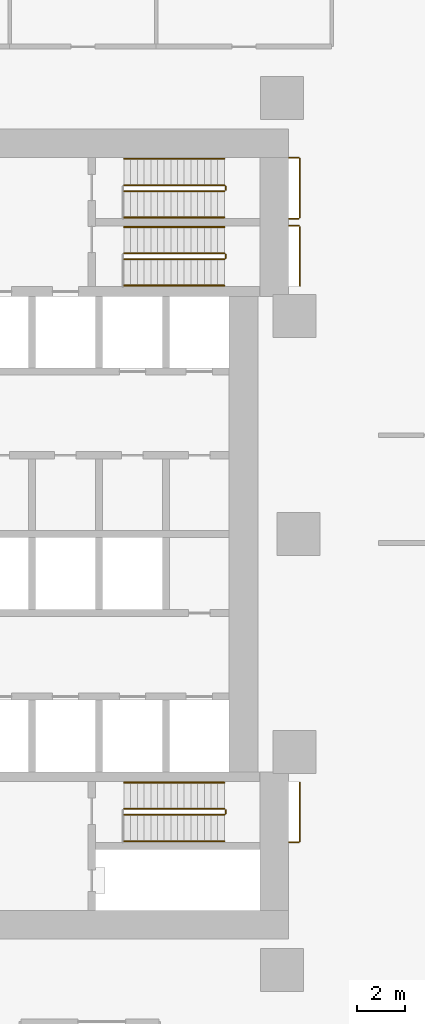
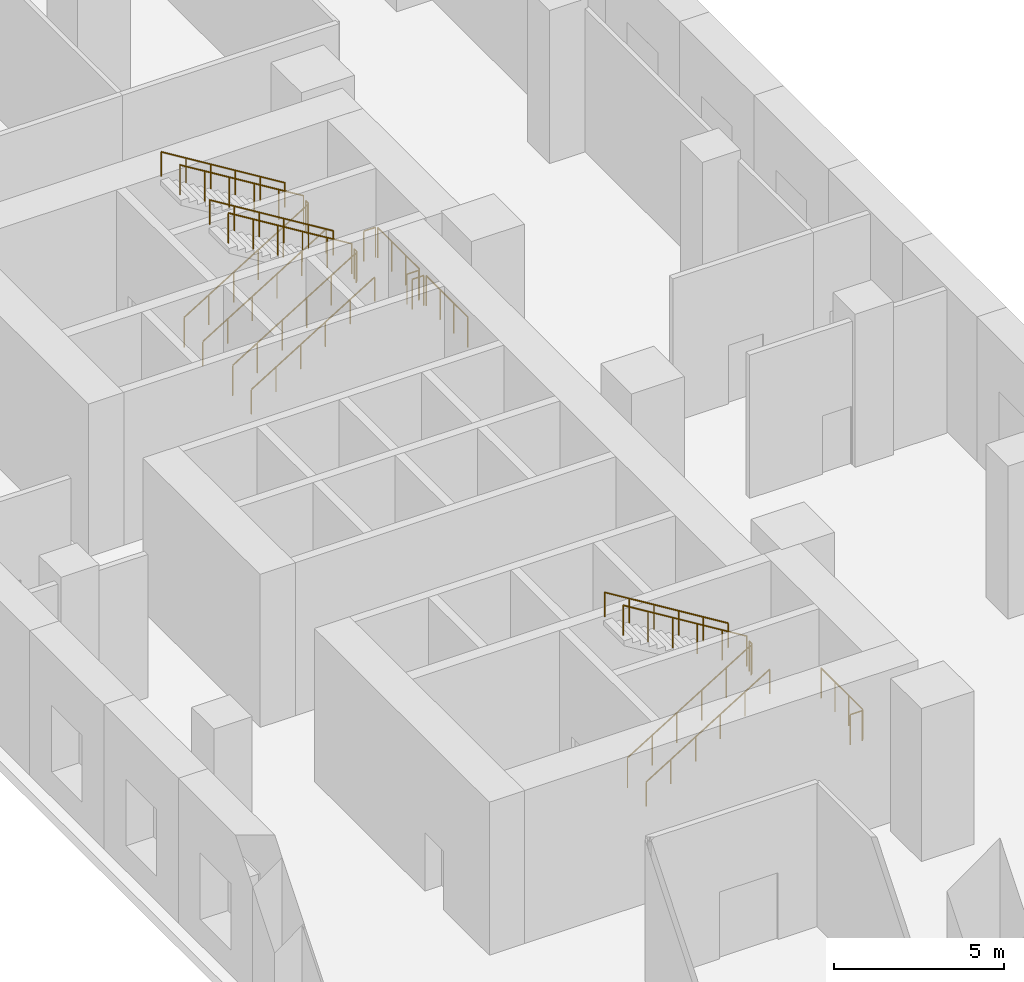
# One storey, part 11 of 12: 22 railings.
"""IFC4 building model written with IfcOpenShell, lengths in metres."""

from ifc_helpers import new_model, si_unit, direction, frame, origin, origin_2d, place, context, subcontext, project, spatial, circle, extrude, material, type_object, element, save


model = new_model("IFC4")

# Units and contexts
model_context = context("Model", 3, precision=1e-05, world=origin(), true_north=direction((0.0, 1.0)))
body_context = subcontext(model_context, "Body", "Model", "MODEL_VIEW")
ifc_project = project(units=[si_unit("LENGTHUNIT", "METRE"), si_unit("AREAUNIT", "SQUARE_METRE"), si_unit("VOLUMEUNIT", "CUBIC_METRE"), si_unit("PLANEANGLEUNIT", "RADIAN"), si_unit("MASSUNIT", "GRAM", prefix="KILO")], contexts=[model_context])

# Site, building, storey
site_placement = place(None, origin())
site = spatial("IfcSite", under=ifc_project, at=site_placement, CompositionType="ELEMENT")
building_placement = place(site_placement, origin())
building = spatial("IfcBuilding", under=site, at=building_placement, Name="Ostrand Prow Hotel Tower", CompositionType="ELEMENT")
storey_placement = place(building_placement, frame((0.0, 0.0, 8.0)))
storey = spatial("IfcBuildingStorey", under=building, at=storey_placement, Name="L01", CompositionType="ELEMENT", Elevation=8.0)

# Railings
ifc_material_1 = material(Name="Painted steel", Category="steel")
railing_type_1 = type_object("IfcRailingType", Name="Stair guard 1100", PredefinedType="GUARDRAIL", material=ifc_material_1)
railing_1_placement = place(storey_placement, frame((57.199951171875, 11.5, 0.171875)))
element("IfcRailing", 1, at=railing_1_placement, inside=storey, type_object=railing_type_1, Name="L01 ST1B stair guard 1", PredefinedType="GUARDRAIL", context=body_context, shape_type="SweptSolid", body=[
    extrude(circle(Radius=0.02392578125, at=origin_2d()), frame((0.0, 0.0, 1.076171875), z_axis=(0.852242915053, 0.0, 0.523146264196), x_axis=(0.0, 1.0, 0.0)), (0.0, 0.0, 1.0), 4.92822265625),
    extrude(circle(Radius=0.02099609375, at=origin_2d()), origin(), (0.0, 0.0, 1.0), 1.052001953125),
    extrude(circle(Radius=0.02099609375, at=origin_2d()), frame((0.840087890625, 0.0, 0.515625)), (0.0, 0.0, 1.0), 1.052001953125),
    extrude(circle(Radius=0.02099609375, at=origin_2d()), frame((1.679931640625, 0.0, 1.03125)), (0.0, 0.0, 1.0), 1.052001953125),
    extrude(circle(Radius=0.02099609375, at=origin_2d()), frame((2.52001953125, 0.0, 1.546875)), (0.0, 0.0, 1.0), 1.052001953125),
    extrude(circle(Radius=0.02099609375, at=origin_2d()), frame((3.35986328125, 0.0, 2.0625)), (0.0, 0.0, 1.0), 1.052001953125),
    extrude(circle(Radius=0.02099609375, at=origin_2d()), frame((4.199951171875, 0.0, 2.578125)), (0.0, 0.0, 1.0), 1.052001953125),
])
railing_2_placement = place(storey_placement, frame((61.449951171875, 11.550048828125, 2.75)))
element("IfcRailing", 2, at=railing_2_placement, inside=storey, type_object=railing_type_1, Name="L01 ST1B stair guard 2", PredefinedType="GUARDRAIL", context=body_context, shape_type="SweptSolid", body=[
    extrude(circle(Radius=0.02392578125, at=origin_2d()), frame((0.0, 0.0, 1.076171875), z_axis=(0.0, 1.0, 0.0), x_axis=(-1.0, 0.0, 0.0)), (0.0, 0.0, 1.0), 0.14990234375),
    extrude(circle(Radius=0.02099609375, at=origin_2d()), origin(), (0.0, 0.0, 1.0), 1.052001953125),
    extrude(circle(Radius=0.02099609375, at=origin_2d()), frame((0.0, 0.14990234375, 0.0)), (0.0, 0.0, 1.0), 1.052001953125),
])
railing_3_placement = place(storey_placement, frame((61.39990234375, 11.75, 2.921875)))
element("IfcRailing", 3, at=railing_3_placement, inside=storey, type_object=railing_type_1, Name="L01 ST1B stair guard 3", PredefinedType="GUARDRAIL", context=body_context, shape_type="SweptSolid", body=[
    extrude(circle(Radius=0.02392578125, at=origin_2d()), frame((0.0, 0.0, 1.076171875), z_axis=(-0.852242915053, 0.0, 0.523146264196), x_axis=(0.0, -1.0, 0.0)), (0.0, 0.0, 1.0), 4.92822265625),
    extrude(circle(Radius=0.02099609375, at=origin_2d()), origin(), (0.0, 0.0, 1.0), 1.052001953125),
    extrude(circle(Radius=0.02099609375, at=origin_2d()), frame((-0.840087890625, 0.0, 0.515625)), (0.0, 0.0, 1.0), 1.052001953125),
    extrude(circle(Radius=0.02099609375, at=origin_2d()), frame((-1.679931640625, 0.0, 1.03125)), (0.0, 0.0, 1.0), 1.052001953125),
    extrude(circle(Radius=0.02099609375, at=origin_2d()), frame((-2.52001953125, 0.0, 1.546875)), (0.0, 0.0, 1.0), 1.052001953125),
    extrude(circle(Radius=0.02099609375, at=origin_2d()), frame((-3.35986328125, 0.0, 2.0625)), (0.0, 0.0, 1.0), 1.052001953125),
    extrude(circle(Radius=0.02099609375, at=origin_2d()), frame((-4.199951171875, 0.0, 2.578125)), (0.0, 0.0, 1.0), 1.052001953125),
])
railing_4_placement = place(storey_placement, frame((57.199951171875, 14.35009765625, 0.171875)))
element("IfcRailing", 4, at=railing_4_placement, inside=storey, type_object=railing_type_1, Name="L01 ST3B stair guard 1", PredefinedType="GUARDRAIL", context=body_context, shape_type="SweptSolid", body=[
    extrude(circle(Radius=0.02392578125, at=origin_2d()), frame((0.0, 0.0, 1.076171875), z_axis=(0.852242915053, 0.0, 0.523146264196), x_axis=(0.0, 1.0, 0.0)), (0.0, 0.0, 1.0), 4.92822265625),
    extrude(circle(Radius=0.02099609375, at=origin_2d()), origin(), (0.0, 0.0, 1.0), 1.052001953125),
    extrude(circle(Radius=0.02099609375, at=origin_2d()), frame((0.840087890625, 0.0, 0.515625)), (0.0, 0.0, 1.0), 1.052001953125),
    extrude(circle(Radius=0.02099609375, at=origin_2d()), frame((1.679931640625, 0.0, 1.03125)), (0.0, 0.0, 1.0), 1.052001953125),
    extrude(circle(Radius=0.02099609375, at=origin_2d()), frame((2.52001953125, 0.0, 1.546875)), (0.0, 0.0, 1.0), 1.052001953125),
    extrude(circle(Radius=0.02099609375, at=origin_2d()), frame((3.35986328125, 0.0, 2.0625)), (0.0, 0.0, 1.0), 1.052001953125),
    extrude(circle(Radius=0.02099609375, at=origin_2d()), frame((4.199951171875, 0.0, 2.578125)), (0.0, 0.0, 1.0), 1.052001953125),
])
railing_5_placement = place(storey_placement, frame((61.449951171875, 14.39990234375, 2.75)))
element("IfcRailing", 5, at=railing_5_placement, inside=storey, type_object=railing_type_1, Name="L01 ST3B stair guard 2", PredefinedType="GUARDRAIL", context=body_context, shape_type="SweptSolid", body=[
    extrude(circle(Radius=0.02392578125, at=origin_2d()), frame((0.0, 0.0, 1.076171875), z_axis=(0.0, 1.0, 0.0), x_axis=(-1.0, 0.0, 0.0)), (0.0, 0.0, 1.0), 0.150146484375),
    extrude(circle(Radius=0.02099609375, at=origin_2d()), origin(), (0.0, 0.0, 1.0), 1.052001953125),
    extrude(circle(Radius=0.02099609375, at=origin_2d()), frame((0.0, 0.150146484375, 0.0)), (0.0, 0.0, 1.0), 1.052001953125),
])
railing_6_placement = place(storey_placement, frame((61.39990234375, 14.60009765625, 2.921875)))
element("IfcRailing", 6, at=railing_6_placement, inside=storey, type_object=railing_type_1, Name="L01 ST3B stair guard 3", PredefinedType="GUARDRAIL", context=body_context, shape_type="SweptSolid", body=[
    extrude(circle(Radius=0.02392578125, at=origin_2d()), frame((0.0, 0.0, 1.076171875), z_axis=(-0.852242915053, 0.0, 0.523146264196), x_axis=(0.0, -1.0, 0.0)), (0.0, 0.0, 1.0), 4.92822265625),
    extrude(circle(Radius=0.02099609375, at=origin_2d()), origin(), (0.0, 0.0, 1.0), 1.052001953125),
    extrude(circle(Radius=0.02099609375, at=origin_2d()), frame((-0.840087890625, 0.0, 0.515625)), (0.0, 0.0, 1.0), 1.052001953125),
    extrude(circle(Radius=0.02099609375, at=origin_2d()), frame((-1.679931640625, 0.0, 1.03125)), (0.0, 0.0, 1.0), 1.052001953125),
    extrude(circle(Radius=0.02099609375, at=origin_2d()), frame((-2.52001953125, 0.0, 1.546875)), (0.0, 0.0, 1.0), 1.052001953125),
    extrude(circle(Radius=0.02099609375, at=origin_2d()), frame((-3.35986328125, 0.0, 2.0625)), (0.0, 0.0, 1.0), 1.052001953125),
    extrude(circle(Radius=0.02099609375, at=origin_2d()), frame((-4.199951171875, 0.0, 2.578125)), (0.0, 0.0, 1.0), 1.052001953125),
])
railing_7_placement = place(storey_placement, frame((57.199951171875, -11.75, 0.171875)))
element("IfcRailing", 7, at=railing_7_placement, inside=storey, type_object=railing_type_1, Name="L01 ST2B stair guard 1", PredefinedType="GUARDRAIL", context=body_context, shape_type="SweptSolid", body=[
    extrude(circle(Radius=0.02392578125, at=origin_2d()), frame((0.0, 0.0, 1.076171875), z_axis=(0.852242915053, 0.0, 0.523146264196), x_axis=(0.0, 1.0, 0.0)), (0.0, 0.0, 1.0), 4.92822265625),
    extrude(circle(Radius=0.02099609375, at=origin_2d()), origin(), (0.0, 0.0, 1.0), 1.052001953125),
    extrude(circle(Radius=0.02099609375, at=origin_2d()), frame((0.840087890625, 0.0, 0.515625)), (0.0, 0.0, 1.0), 1.052001953125),
    extrude(circle(Radius=0.02099609375, at=origin_2d()), frame((1.679931640625, 0.0, 1.03125)), (0.0, 0.0, 1.0), 1.052001953125),
    extrude(circle(Radius=0.02099609375, at=origin_2d()), frame((2.52001953125, 0.0, 1.546875)), (0.0, 0.0, 1.0), 1.052001953125),
    extrude(circle(Radius=0.02099609375, at=origin_2d()), frame((3.35986328125, 0.0, 2.0625)), (0.0, 0.0, 1.0), 1.052001953125),
    extrude(circle(Radius=0.02099609375, at=origin_2d()), frame((4.199951171875, 0.0, 2.578125)), (0.0, 0.0, 1.0), 1.052001953125),
])
railing_8_placement = place(storey_placement, frame((61.449951171875, -11.699951171875, 2.75)))
element("IfcRailing", 8, at=railing_8_placement, inside=storey, type_object=railing_type_1, Name="L01 ST2B stair guard 2", PredefinedType="GUARDRAIL", context=body_context, shape_type="SweptSolid", body=[
    extrude(circle(Radius=0.02392578125, at=origin_2d()), frame((0.0, 0.0, 1.076171875), z_axis=(0.0, 1.0, 0.0), x_axis=(-1.0, 0.0, 0.0)), (0.0, 0.0, 1.0), 0.14990234375),
    extrude(circle(Radius=0.02099609375, at=origin_2d()), origin(), (0.0, 0.0, 1.0), 1.052001953125),
    extrude(circle(Radius=0.02099609375, at=origin_2d()), frame((0.0, 0.14990234375, 0.0)), (0.0, 0.0, 1.0), 1.052001953125),
])
railing_9_placement = place(storey_placement, frame((61.39990234375, -11.5, 2.921875)))
element("IfcRailing", 9, at=railing_9_placement, inside=storey, type_object=railing_type_1, Name="L01 ST2B stair guard 3", PredefinedType="GUARDRAIL", context=body_context, shape_type="SweptSolid", body=[
    extrude(circle(Radius=0.02392578125, at=origin_2d()), frame((0.0, 0.0, 1.076171875), z_axis=(-0.852242915053, 0.0, 0.523146264196), x_axis=(0.0, -1.0, 0.0)), (0.0, 0.0, 1.0), 4.92822265625),
    extrude(circle(Radius=0.02099609375, at=origin_2d()), origin(), (0.0, 0.0, 1.0), 1.052001953125),
    extrude(circle(Radius=0.02099609375, at=origin_2d()), frame((-0.840087890625, 0.0, 0.515625)), (0.0, 0.0, 1.0), 1.052001953125),
    extrude(circle(Radius=0.02099609375, at=origin_2d()), frame((-1.679931640625, 0.0, 1.03125)), (0.0, 0.0, 1.0), 1.052001953125),
    extrude(circle(Radius=0.02099609375, at=origin_2d()), frame((-2.52001953125, 0.0, 1.546875)), (0.0, 0.0, 1.0), 1.052001953125),
    extrude(circle(Radius=0.02099609375, at=origin_2d()), frame((-3.35986328125, 0.0, 2.0625)), (0.0, 0.0, 1.0), 1.052001953125),
    extrude(circle(Radius=0.02099609375, at=origin_2d()), frame((-4.199951171875, 0.0, 2.578125)), (0.0, 0.0, 1.0), 1.052001953125),
])
railing_10_placement = place(storey_placement, frame((64.56005859375, 10.39990234375, 0.0)))
element("IfcRailing", 10, at=railing_10_placement, inside=storey, type_object=railing_type_1, Name="ST1 stair slot guard", PredefinedType="GUARDRAIL", context=body_context, shape_type="SweptSolid", body=[
    extrude(circle(Radius=0.02392578125, at=origin_2d()), frame((0.0, 0.0, 1.076171875), z_axis=(0.0, 1.0, 0.0), x_axis=(-1.0, 0.0, 0.0)), (0.0, 0.0, 1.0), 2.4501953125),
    extrude(circle(Radius=0.02099609375, at=origin_2d()), origin(), (0.0, 0.0, 1.0), 1.052001953125),
    extrude(circle(Radius=0.02099609375, at=origin_2d()), frame((0.0, 0.816650390625, 0.0)), (0.0, 0.0, 1.0), 1.052001953125),
    extrude(circle(Radius=0.02099609375, at=origin_2d()), frame((0.0, 1.633544921875, 0.0)), (0.0, 0.0, 1.0), 1.052001953125),
    extrude(circle(Radius=0.02099609375, at=origin_2d()), frame((0.0, 2.4501953125, 0.0)), (0.0, 0.0, 1.0), 1.052001953125),
])
railing_11_placement = place(storey_placement, frame((64.110107421875, 12.89990234375, 0.0)))
element("IfcRailing", 11, at=railing_11_placement, inside=storey, type_object=railing_type_1, Name="ST1 stair slot guard return", PredefinedType="GUARDRAIL", context=body_context, shape_type="SweptSolid", body=[
    extrude(circle(Radius=0.02392578125, at=origin_2d()), frame((0.0, 0.0, 1.076171875), z_axis=(1.0, 0.0, 0.0), x_axis=(0.0, 1.0, 0.0)), (0.0, 0.0, 1.0), 0.39990234375),
    extrude(circle(Radius=0.02099609375, at=origin_2d()), origin(), (0.0, 0.0, 1.0), 1.052001953125),
    extrude(circle(Radius=0.02099609375, at=origin_2d()), frame((0.39990234375, 0.0, 0.0)), (0.0, 0.0, 1.0), 1.052001953125),
])
railing_12_placement = place(storey_placement, frame((64.56005859375, 13.25, 0.0)))
element("IfcRailing", 12, at=railing_12_placement, inside=storey, type_object=railing_type_1, Name="ST3 stair slot guard", PredefinedType="GUARDRAIL", context=body_context, shape_type="SweptSolid", body=[
    extrude(circle(Radius=0.02392578125, at=origin_2d()), frame((0.0, 0.0, 1.076171875), z_axis=(0.0, 1.0, 0.0), x_axis=(-1.0, 0.0, 0.0)), (0.0, 0.0, 1.0), 2.449951171875),
    extrude(circle(Radius=0.02099609375, at=origin_2d()), origin(), (0.0, 0.0, 1.0), 1.052001953125),
    extrude(circle(Radius=0.02099609375, at=origin_2d()), frame((0.0, 0.816650390625, 0.0)), (0.0, 0.0, 1.0), 1.052001953125),
    extrude(circle(Radius=0.02099609375, at=origin_2d()), frame((0.0, 1.63330078125, 0.0)), (0.0, 0.0, 1.0), 1.052001953125),
    extrude(circle(Radius=0.02099609375, at=origin_2d()), frame((0.0, 2.449951171875, 0.0)), (0.0, 0.0, 1.0), 1.052001953125),
])
for number, where, name in (
    (13, (64.110107421875, 13.199951171875, 0.0), "ST3 stair slot guard return"),
    (14, (64.110107421875, 15.75, 0.0), "ST3 stair slot guard return"),
):
    element("IfcRailing", number, at=place(storey_placement, frame(where)), inside=storey, type_object=railing_type_1, Name=name, PredefinedType="GUARDRAIL", context=body_context, shape_type="SweptSolid", body=[
        extrude(circle(Radius=0.02392578125, at=origin_2d()), frame((0.0, 0.0, 1.076171875), z_axis=(1.0, 0.0, 0.0), x_axis=(0.0, 1.0, 0.0)), (0.0, 0.0, 1.0), 0.39990234375),
        extrude(circle(Radius=0.02099609375, at=origin_2d()), origin(), (0.0, 0.0, 1.0), 1.052001953125),
        extrude(circle(Radius=0.02099609375, at=origin_2d()), frame((0.39990234375, 0.0, 0.0)), (0.0, 0.0, 1.0), 1.052001953125),
    ])
railing_13_placement = place(storey_placement, frame((64.56005859375, -12.85009765625, 0.0)))
element("IfcRailing", 15, at=railing_13_placement, inside=storey, type_object=railing_type_1, Name="ST2 stair slot guard", PredefinedType="GUARDRAIL", context=body_context, shape_type="SweptSolid", body=[
    extrude(circle(Radius=0.02392578125, at=origin_2d()), frame((0.0, 0.0, 1.076171875), z_axis=(0.0, 1.0, 0.0), x_axis=(-1.0, 0.0, 0.0)), (0.0, 0.0, 1.0), 2.4501953125),
    extrude(circle(Radius=0.02099609375, at=origin_2d()), origin(), (0.0, 0.0, 1.0), 1.052001953125),
    extrude(circle(Radius=0.02099609375, at=origin_2d()), frame((0.0, 0.816650390625, 0.0)), (0.0, 0.0, 1.0), 1.052001953125),
    extrude(circle(Radius=0.02099609375, at=origin_2d()), frame((0.0, 1.633544921875, 0.0)), (0.0, 0.0, 1.0), 1.052001953125),
    extrude(circle(Radius=0.02099609375, at=origin_2d()), frame((0.0, 2.4501953125, 0.0)), (0.0, 0.0, 1.0), 1.052001953125),
])
railing_14_placement = place(storey_placement, frame((64.110107421875, -12.89990234375, 0.0)))
element("IfcRailing", 16, at=railing_14_placement, inside=storey, type_object=railing_type_1, Name="ST2 stair slot guard return", PredefinedType="GUARDRAIL", context=body_context, shape_type="SweptSolid", body=[
    extrude(circle(Radius=0.02392578125, at=origin_2d()), frame((0.0, 0.0, 1.076171875), z_axis=(1.0, 0.0, 0.0), x_axis=(0.0, 1.0, 0.0)), (0.0, 0.0, 1.0), 0.39990234375),
    extrude(circle(Radius=0.02099609375, at=origin_2d()), origin(), (0.0, 0.0, 1.0), 1.052001953125),
    extrude(circle(Radius=0.02099609375, at=origin_2d()), frame((0.39990234375, 0.0, 0.0)), (0.0, 0.0, 1.0), 1.052001953125),
])
ifc_material_2 = material(Name="Stainless steel", Category="steel")
railing_type_2 = type_object("IfcRailingType", Name="Stair handrail 900", PredefinedType="HANDRAIL", material=ifc_material_2)
railing_15_placement = place(storey_placement, frame((57.199951171875, 10.39990234375, 0.171875)))
element("IfcRailing", 17, at=railing_15_placement, inside=storey, type_object=railing_type_2, Name="L01 ST1B stair handrail 1", PredefinedType="HANDRAIL", context=body_context, shape_type="SweptSolid", body=[
    extrude(circle(Radius=0.02392578125, at=origin_2d()), frame((0.0, 0.0, 0.8759765625), z_axis=(0.852242915053, 0.0, 0.523146264196), x_axis=(0.0, 1.0, 0.0)), (0.0, 0.0, 1.0), 4.92822265625),
    extrude(circle(Radius=0.02099609375, at=origin_2d()), origin(), (0.0, 0.0, 1.0), 0.851806640625),
    extrude(circle(Radius=0.02099609375, at=origin_2d()), frame((0.840087890625, 0.0, 0.515625)), (0.0, 0.0, 1.0), 0.851806640625),
    extrude(circle(Radius=0.02099609375, at=origin_2d()), frame((1.679931640625, 0.0, 1.03125)), (0.0, 0.0, 1.0), 0.851806640625),
    extrude(circle(Radius=0.02099609375, at=origin_2d()), frame((2.52001953125, 0.0, 1.546875)), (0.0, 0.0, 1.0), 0.851806640625),
    extrude(circle(Radius=0.02099609375, at=origin_2d()), frame((3.35986328125, 0.0, 2.0625)), (0.0, 0.0, 1.0), 0.851806640625),
    extrude(circle(Radius=0.02099609375, at=origin_2d()), frame((4.199951171875, 0.0, 2.578125)), (0.0, 0.0, 1.0), 0.851806640625),
])
railing_16_placement = place(storey_placement, frame((61.39990234375, 12.85009765625, 2.921875)))
element("IfcRailing", 18, at=railing_16_placement, inside=storey, type_object=railing_type_2, Name="L01 ST1B stair handrail 2", PredefinedType="HANDRAIL", context=body_context, shape_type="SweptSolid", body=[
    extrude(circle(Radius=0.02392578125, at=origin_2d()), frame((0.0, 0.0, 0.8759765625), z_axis=(-0.852242915053, 0.0, 0.523146264196), x_axis=(0.0, -1.0, 0.0)), (0.0, 0.0, 1.0), 4.92822265625),
    extrude(circle(Radius=0.02099609375, at=origin_2d()), origin(), (0.0, 0.0, 1.0), 0.851806640625),
    extrude(circle(Radius=0.02099609375, at=origin_2d()), frame((-0.840087890625, 0.0, 0.515625)), (0.0, 0.0, 1.0), 0.851806640625),
    extrude(circle(Radius=0.02099609375, at=origin_2d()), frame((-1.679931640625, 0.0, 1.03125)), (0.0, 0.0, 1.0), 0.851806640625),
    extrude(circle(Radius=0.02099609375, at=origin_2d()), frame((-2.52001953125, 0.0, 1.546875)), (0.0, 0.0, 1.0), 0.851806640625),
    extrude(circle(Radius=0.02099609375, at=origin_2d()), frame((-3.35986328125, 0.0, 2.0625)), (0.0, 0.0, 1.0), 0.851806640625),
    extrude(circle(Radius=0.02099609375, at=origin_2d()), frame((-4.199951171875, 0.0, 2.578125)), (0.0, 0.0, 1.0), 0.851806640625),
])
railing_17_placement = place(storey_placement, frame((57.199951171875, 13.25, 0.171875)))
element("IfcRailing", 19, at=railing_17_placement, inside=storey, type_object=railing_type_2, Name="L01 ST3B stair handrail 1", PredefinedType="HANDRAIL", context=body_context, shape_type="SweptSolid", body=[
    extrude(circle(Radius=0.02392578125, at=origin_2d()), frame((0.0, 0.0, 0.8759765625), z_axis=(0.852242915053, 0.0, 0.523146264196), x_axis=(0.0, 1.0, 0.0)), (0.0, 0.0, 1.0), 4.92822265625),
    extrude(circle(Radius=0.02099609375, at=origin_2d()), origin(), (0.0, 0.0, 1.0), 0.851806640625),
    extrude(circle(Radius=0.02099609375, at=origin_2d()), frame((0.840087890625, 0.0, 0.515625)), (0.0, 0.0, 1.0), 0.851806640625),
    extrude(circle(Radius=0.02099609375, at=origin_2d()), frame((1.679931640625, 0.0, 1.03125)), (0.0, 0.0, 1.0), 0.851806640625),
    extrude(circle(Radius=0.02099609375, at=origin_2d()), frame((2.52001953125, 0.0, 1.546875)), (0.0, 0.0, 1.0), 0.851806640625),
    extrude(circle(Radius=0.02099609375, at=origin_2d()), frame((3.35986328125, 0.0, 2.0625)), (0.0, 0.0, 1.0), 0.851806640625),
    extrude(circle(Radius=0.02099609375, at=origin_2d()), frame((4.199951171875, 0.0, 2.578125)), (0.0, 0.0, 1.0), 0.851806640625),
])
railing_18_placement = place(storey_placement, frame((61.39990234375, 15.699951171875, 2.921875)))
element("IfcRailing", 20, at=railing_18_placement, inside=storey, type_object=railing_type_2, Name="L01 ST3B stair handrail 2", PredefinedType="HANDRAIL", context=body_context, shape_type="SweptSolid", body=[
    extrude(circle(Radius=0.02392578125, at=origin_2d()), frame((0.0, 0.0, 0.8759765625), z_axis=(-0.852242915053, 0.0, 0.523146264196), x_axis=(0.0, -1.0, 0.0)), (0.0, 0.0, 1.0), 4.92822265625),
    extrude(circle(Radius=0.02099609375, at=origin_2d()), origin(), (0.0, 0.0, 1.0), 0.851806640625),
    extrude(circle(Radius=0.02099609375, at=origin_2d()), frame((-0.840087890625, 0.0, 0.515625)), (0.0, 0.0, 1.0), 0.851806640625),
    extrude(circle(Radius=0.02099609375, at=origin_2d()), frame((-1.679931640625, 0.0, 1.03125)), (0.0, 0.0, 1.0), 0.851806640625),
    extrude(circle(Radius=0.02099609375, at=origin_2d()), frame((-2.52001953125, 0.0, 1.546875)), (0.0, 0.0, 1.0), 0.851806640625),
    extrude(circle(Radius=0.02099609375, at=origin_2d()), frame((-3.35986328125, 0.0, 2.0625)), (0.0, 0.0, 1.0), 0.851806640625),
    extrude(circle(Radius=0.02099609375, at=origin_2d()), frame((-4.199951171875, 0.0, 2.578125)), (0.0, 0.0, 1.0), 0.851806640625),
])
railing_19_placement = place(storey_placement, frame((57.199951171875, -12.85009765625, 0.171875)))
element("IfcRailing", 21, at=railing_19_placement, inside=storey, type_object=railing_type_2, Name="L01 ST2B stair handrail 1", PredefinedType="HANDRAIL", context=body_context, shape_type="SweptSolid", body=[
    extrude(circle(Radius=0.02392578125, at=origin_2d()), frame((0.0, 0.0, 0.8759765625), z_axis=(0.852242915053, 0.0, 0.523146264196), x_axis=(0.0, 1.0, 0.0)), (0.0, 0.0, 1.0), 4.92822265625),
    extrude(circle(Radius=0.02099609375, at=origin_2d()), origin(), (0.0, 0.0, 1.0), 0.851806640625),
    extrude(circle(Radius=0.02099609375, at=origin_2d()), frame((0.840087890625, 0.0, 0.515625)), (0.0, 0.0, 1.0), 0.851806640625),
    extrude(circle(Radius=0.02099609375, at=origin_2d()), frame((1.679931640625, 0.0, 1.03125)), (0.0, 0.0, 1.0), 0.851806640625),
    extrude(circle(Radius=0.02099609375, at=origin_2d()), frame((2.52001953125, 0.0, 1.546875)), (0.0, 0.0, 1.0), 0.851806640625),
    extrude(circle(Radius=0.02099609375, at=origin_2d()), frame((3.35986328125, 0.0, 2.0625)), (0.0, 0.0, 1.0), 0.851806640625),
    extrude(circle(Radius=0.02099609375, at=origin_2d()), frame((4.199951171875, 0.0, 2.578125)), (0.0, 0.0, 1.0), 0.851806640625),
])
railing_20_placement = place(storey_placement, frame((61.39990234375, -10.39990234375, 2.921875)))
element("IfcRailing", 22, at=railing_20_placement, inside=storey, type_object=railing_type_2, Name="L01 ST2B stair handrail 2", PredefinedType="HANDRAIL", context=body_context, shape_type="SweptSolid", body=[
    extrude(circle(Radius=0.02392578125, at=origin_2d()), frame((0.0, 0.0, 0.8759765625), z_axis=(-0.852242915053, 0.0, 0.523146264196), x_axis=(0.0, -1.0, 0.0)), (0.0, 0.0, 1.0), 4.92822265625),
    extrude(circle(Radius=0.02099609375, at=origin_2d()), origin(), (0.0, 0.0, 1.0), 0.851806640625),
    extrude(circle(Radius=0.02099609375, at=origin_2d()), frame((-0.840087890625, 0.0, 0.515625)), (0.0, 0.0, 1.0), 0.851806640625),
    extrude(circle(Radius=0.02099609375, at=origin_2d()), frame((-1.679931640625, 0.0, 1.03125)), (0.0, 0.0, 1.0), 0.851806640625),
    extrude(circle(Radius=0.02099609375, at=origin_2d()), frame((-2.52001953125, 0.0, 1.546875)), (0.0, 0.0, 1.0), 0.851806640625),
    extrude(circle(Radius=0.02099609375, at=origin_2d()), frame((-3.35986328125, 0.0, 2.0625)), (0.0, 0.0, 1.0), 0.851806640625),
    extrude(circle(Radius=0.02099609375, at=origin_2d()), frame((-4.199951171875, 0.0, 2.578125)), (0.0, 0.0, 1.0), 0.851806640625),
])

save(model, "model.ifc")
